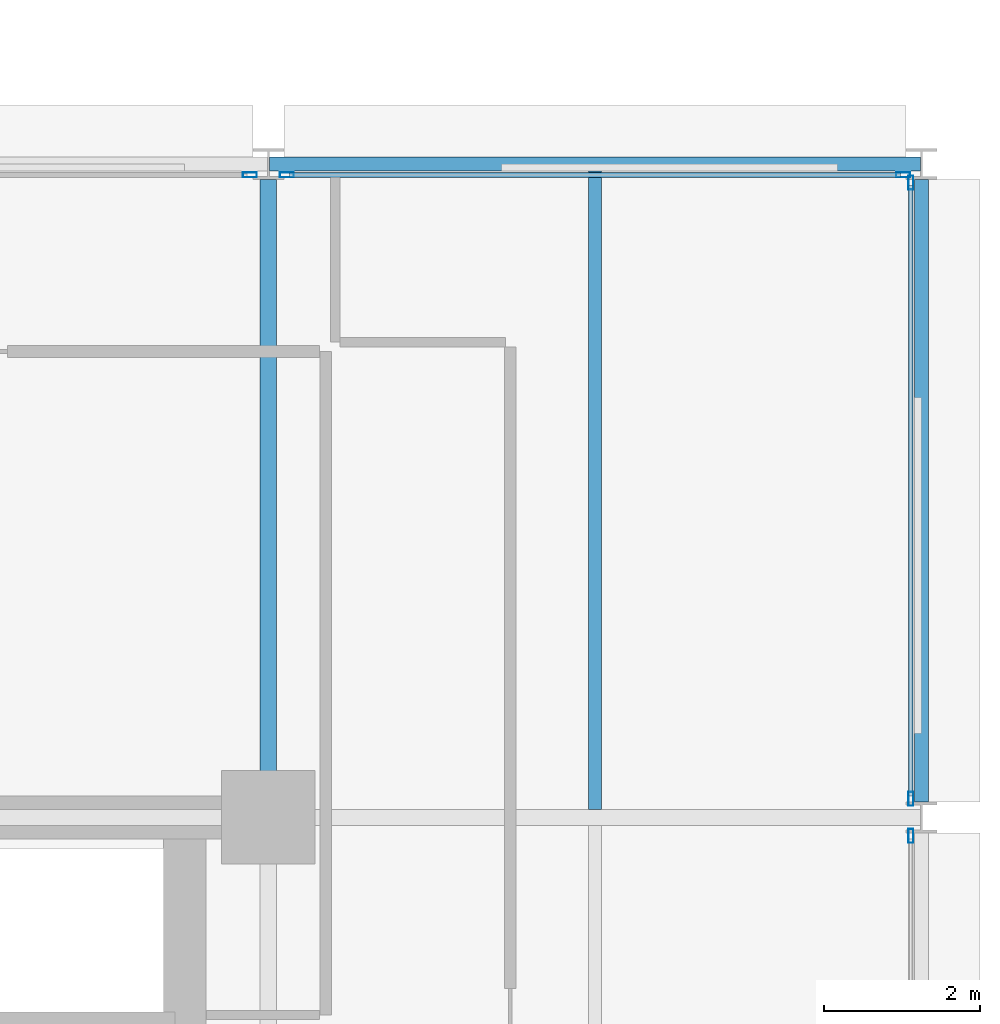
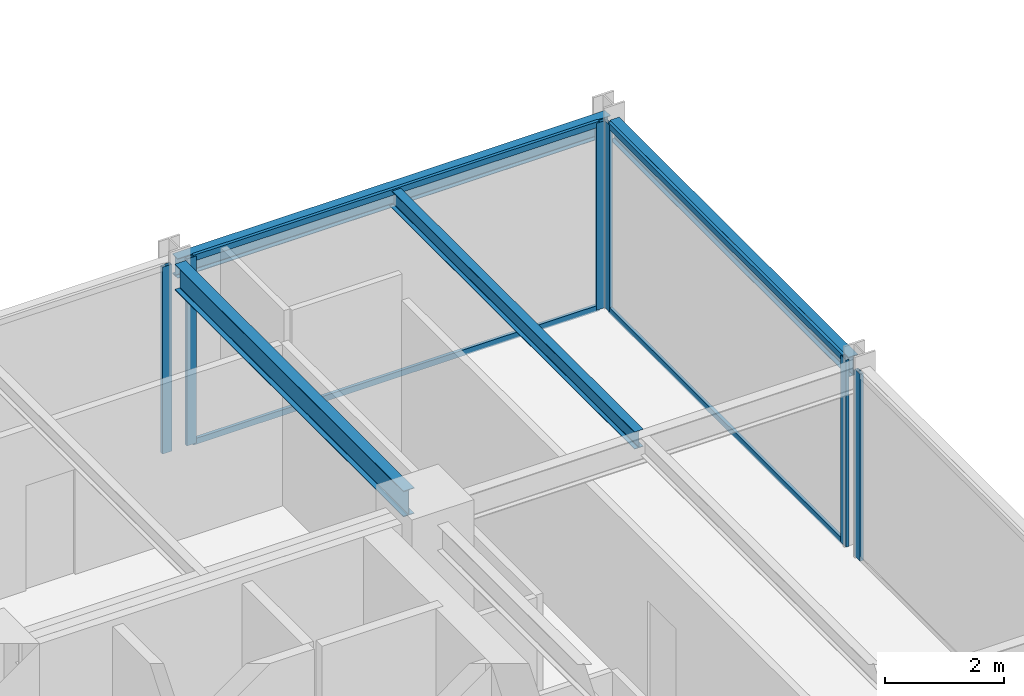
# One storey, part 15 of 30: 10 members, 4 beams, 4 elements without a shape of their own.
"""IFC4 building model written with IfcOpenShell, lengths in metres."""

from ifc_helpers import new_model, si_unit, direction, frame, origin, origin_2d, place, context, subcontext, project, spatial, hollow_rectangle, i_section, extrude, material, layer, layer_set, material_profile, profile_set, type_object, element, aggregate, save


model = new_model("IFC4")

# Units and contexts
model_context = context("Model", 3, precision=1e-05, world=origin(), true_north=direction((0.0, 1.0)))
body_context = subcontext(model_context, "Body", "Model", "MODEL_VIEW")
ifc_project = project(units=[si_unit("LENGTHUNIT", "METRE"), si_unit("AREAUNIT", "SQUARE_METRE"), si_unit("VOLUMEUNIT", "CUBIC_METRE"), si_unit("PLANEANGLEUNIT", "RADIAN"), si_unit("MASSUNIT", "GRAM", prefix="KILO")], contexts=[model_context])

# Site, building, storey
site_placement = place(None, origin())
site = spatial("IfcSite", under=ifc_project, at=site_placement, CompositionType="ELEMENT")
building_placement = place(site_placement, origin())
building = spatial("IfcBuilding", under=site, at=building_placement, Name="Nerrivon Quay Data Exchange", CompositionType="ELEMENT")
storey_placement = place(building_placement, frame((0.0, 0.0, 117.199951171875)))
storey = spatial("IfcBuildingStorey", under=building, at=storey_placement, Name="L27", CompositionType="ELEMENT", Elevation=117.199951171875)

# Beams
ifc_material_1 = material(Name="Steel Grade 350", Category="steel")
ifc_material_profile_1 = material_profile(ifc_material_1, i_section(OverallWidth=0.208984375, OverallDepth=0.528076171875, WebThickness=0.009521484375, FlangeThickness=0.01318359375, FilletRadius=0.013916015625, at=origin_2d()), Name="530UB82.0")
ifc_profile_set_1 = profile_set([ifc_material_profile_1], Name="Steel Grade 350")
beam_type_1 = type_object("IfcBeamType", Name="BM-G4-530UB82", PredefinedType="BEAM", material=ifc_profile_set_1)
beam_1_placement = place(storey_placement, frame((33.60009765625, 17.340087890625, 3.56103515625), z_axis=(0.0, 1.0, 0.0), x_axis=(-1.0, 0.0, 0.0)))
element("IfcBeam", 1, at=beam_1_placement, inside=storey, type_object=beam_type_1, Name="L27 NS Girder X=33.6 (16.8..25.2)", PredefinedType="BEAM", context=body_context, shape_type="SweptSolid", body=[
    extrude(i_section(OverallWidth=0.208984375, OverallDepth=0.528076171875, WebThickness=0.009521484375, FlangeThickness=0.01318359375, FilletRadius=0.013916015625, at=origin_2d()), origin(), (0.0, 0.0, 1.0), 7.659912109375),
])
ifc_material_profile_2 = material_profile(ifc_material_1, i_section(OverallWidth=0.1708984375, OverallDepth=0.35595703125, WebThickness=0.00732421875, FlangeThickness=0.011474609375, FilletRadius=0.011474609375, at=origin_2d()), Name="360UB50.7")
ifc_profile_set_2 = profile_set([ifc_material_profile_2], Name="Steel Grade 350")
beam_type_2 = type_object("IfcBeamType", Name="BM-J4-360UB51", PredefinedType="JOIST", material=ifc_profile_set_2)
beam_2_placement = place(storey_placement, frame((37.800048828125, 16.904541015625, 3.64697265625), z_axis=(0.0, 1.0, 0.0), x_axis=(-1.0, 0.0, 0.0)))
element("IfcBeam", 2, at=beam_2_placement, inside=storey, type_object=beam_type_2, Name="L27 Secondary Joist X=37.8 (16.8..25.2)", PredefinedType="JOIST", context=body_context, shape_type="SweptSolid", body=[
    extrude(i_section(OverallWidth=0.1708984375, OverallDepth=0.35595703125, WebThickness=0.00732421875, FlangeThickness=0.011474609375, FilletRadius=0.011474609375, at=origin_2d()), origin(), (0.0, 0.0, 1.0), 8.20654296875),
])
ifc_material_profile_3 = material_profile(ifc_material_1, i_section(OverallWidth=0.177978515625, OverallDepth=0.403076171875, WebThickness=0.007568359375, FlangeThickness=0.010986328125, FilletRadius=0.011474609375, at=origin_2d()), Name="410UB53.7")
ifc_profile_set_3 = profile_set([ifc_material_profile_3], Name="Steel Grade 350")
beam_type_3 = type_object("IfcBeamType", Name="BM-SP2-410UB54", PredefinedType="SPANDREL", material=ifc_profile_set_3)
beam_3_placement = place(storey_placement, frame((33.612548828125, 25.199951171875, 3.62353515625), z_axis=(1.0, 0.0, 0.0), x_axis=(0.0, 1.0, 0.0)))
element("IfcBeam", 3, at=beam_3_placement, inside=storey, type_object=beam_type_3, Name="L27 EW Girder Y=25.2 (33.6..42.0)", PredefinedType="SPANDREL", context=body_context, shape_type="SweptSolid", body=[
    extrude(i_section(OverallWidth=0.177978515625, OverallDepth=0.403076171875, WebThickness=0.007568359375, FlangeThickness=0.010986328125, FilletRadius=0.011474609375, at=origin_2d()), origin(), (0.0, 0.0, 1.0), 8.375),
])
beam_4_placement = place(storey_placement, frame((42.0, 17.0, 3.62353515625), z_axis=(0.0, 1.0, 0.0), x_axis=(-1.0, 0.0, 0.0)))
element("IfcBeam", 4, at=beam_4_placement, inside=storey, type_object=beam_type_3, Name="L27 NS Girder X=42.0 (16.8..25.2)", PredefinedType="SPANDREL", context=body_context, shape_type="SweptSolid", body=[
    extrude(i_section(OverallWidth=0.177978515625, OverallDepth=0.403076171875, WebThickness=0.007568359375, FlangeThickness=0.010986328125, FilletRadius=0.011474609375, at=origin_2d()), origin(), (0.0, 0.0, 1.0), 8.0),
])

# Curtain wall, member
ifc_material_2 = material(Name="Anodised aluminium 6063-T6", Category="aluminium")
ifc_layer = layer(ifc_material_2, 0.2099609375)
ifc_layer_set = layer_set([ifc_layer], Name="Anodised aluminium 6063-T6")
curtain_wall_type = type_object("IfcCurtainWallType", Name="CW-SYS-02", PredefinedType="NOTDEFINED", material=ifc_layer_set)
curtain_wall_1_placement = place(storey_placement, origin())
curtain_wall_1 = element("IfcCurtainWall", 5, at=curtain_wall_1_placement, inside=storey, type_object=curtain_wall_type, Name="L27 Unitised Curtain Wall 26", PredefinedType="NOTDEFINED")
ifc_material_profile_4 = material_profile(ifc_material_2, hollow_rectangle(XDim=0.06494140625, YDim=0.179931640625, WallThickness=0.00341796875, at=origin_2d()), Name="ALU-MULL-180x65")
ifc_profile_set_4 = profile_set([ifc_material_profile_4], Name="Anodised aluminium 6063-T6")
member_type_1 = type_object("IfcMemberType", Name="CWM-180x65", PredefinedType="MULLION", material=ifc_profile_set_4)
member_1_placement = place(storey_placement, frame((33.362548828125, 25.06005859375, 0.0), z_axis=(0.0, 0.0, 1.0), x_axis=(0.0, 1.0, 0.0)))
member_1 = element("IfcMember", 6, at=member_1_placement, type_object=member_type_1, Name="CW02 mullion 2", PredefinedType="MULLION", context=body_context, shape_type="SweptSolid", body=[
    extrude(hollow_rectangle(XDim=0.06494140625, YDim=0.179931640625, WallThickness=0.00341796875, at=origin_2d()), origin(), (0.0, 0.0, 1.0), 3.824951171875),
])
aggregate(curtain_wall_1, [member_1])

# Curtain wall, members
curtain_wall_2_placement = place(storey_placement, origin())
curtain_wall_2 = element("IfcCurtainWall", 7, at=curtain_wall_2_placement, inside=storey, type_object=curtain_wall_type, Name="L27 Unitised Curtain Wall 27", PredefinedType="NOTDEFINED")
member_2_placement = place(storey_placement, frame((33.83740234375, 25.06005859375, 0.0), z_axis=(0.0, 0.0, 1.0), x_axis=(0.0, 1.0, 0.0)))
member_2 = element("IfcMember", 8, at=member_2_placement, type_object=member_type_1, Name="CW02 mullion 1", PredefinedType="MULLION", context=body_context, shape_type="SweptSolid", body=[
    extrude(hollow_rectangle(XDim=0.06494140625, YDim=0.179931640625, WallThickness=0.00341796875, at=origin_2d()), origin(), (0.0, 0.0, 1.0), 3.824951171875),
])
member_3_placement = place(storey_placement, frame((41.762451171875, 25.06005859375, 0.0), z_axis=(0.0, 0.0, 1.0), x_axis=(0.0, 1.0, 0.0)))
member_3 = element("IfcMember", 9, at=member_3_placement, type_object=member_type_1, Name="CW02 mullion 2", PredefinedType="MULLION", context=body_context, shape_type="SweptSolid", body=[
    extrude(hollow_rectangle(XDim=0.06494140625, YDim=0.179931640625, WallThickness=0.00341796875, at=origin_2d()), origin(), (0.0, 0.0, 1.0), 3.824951171875),
])

curtain_wall_3_placement = place(storey_placement, origin())
curtain_wall_3 = element("IfcCurtainWall", 10, at=curtain_wall_3_placement, inside=storey, type_object=curtain_wall_type, Name="L27 Unitised Curtain Wall 28", PredefinedType="NOTDEFINED")
member_4_placement = place(storey_placement, frame((41.860107421875, 24.96240234375, 0.0), z_axis=(0.0, 0.0, 1.0), x_axis=(1.0, 0.0, 0.0)))
member_4 = element("IfcMember", 11, at=member_4_placement, type_object=member_type_1, Name="CW02 mullion 1", PredefinedType="MULLION", context=body_context, shape_type="SweptSolid", body=[
    extrude(hollow_rectangle(XDim=0.06494140625, YDim=0.179931640625, WallThickness=0.00341796875, at=origin_2d()), origin(), (0.0, 0.0, 1.0), 3.824951171875),
])
member_5_placement = place(storey_placement, frame((41.860107421875, 17.03759765625, 0.0), z_axis=(0.0, 0.0, 1.0), x_axis=(1.0, 0.0, 0.0)))
member_5 = element("IfcMember", 12, at=member_5_placement, type_object=member_type_1, Name="CW02 mullion 2", PredefinedType="MULLION", context=body_context, shape_type="SweptSolid", body=[
    extrude(hollow_rectangle(XDim=0.06494140625, YDim=0.179931640625, WallThickness=0.00341796875, at=origin_2d()), origin(), (0.0, 0.0, 1.0), 3.824951171875),
])

# Curtain wall, member
curtain_wall_4_placement = place(storey_placement, origin())
curtain_wall_4 = element("IfcCurtainWall", 13, at=curtain_wall_4_placement, inside=storey, type_object=curtain_wall_type, Name="L27 Unitised Curtain Wall 29", PredefinedType="NOTDEFINED")
member_6_placement = place(storey_placement, frame((41.860107421875, 16.5625, 0.0), z_axis=(0.0, 0.0, 1.0), x_axis=(1.0, 0.0, 0.0)))
member_6 = element("IfcMember", 14, at=member_6_placement, type_object=member_type_1, Name="CW02 mullion 1", PredefinedType="MULLION", context=body_context, shape_type="SweptSolid", body=[
    extrude(hollow_rectangle(XDim=0.06494140625, YDim=0.179931640625, WallThickness=0.00341796875, at=origin_2d()), origin(), (0.0, 0.0, 1.0), 3.824951171875),
])
aggregate(curtain_wall_4, [member_6])

# Member
ifc_material_profile_5 = material_profile(ifc_material_2, hollow_rectangle(XDim=0.06005859375, YDim=0.1201171875, WallThickness=0.003173828125, at=origin_2d()), Name="ALU-TRAN-120x60")
ifc_profile_set_5 = profile_set([ifc_material_profile_5], Name="Anodised aluminium 6063-T6")
member_type_2 = type_object("IfcMemberType", Name="CWT-120x60", PredefinedType="USERDEFINED", material=ifc_profile_set_5)
member_7_placement = place(storey_placement, frame((33.875, 25.06005859375, 0.032470703125), z_axis=(1.0, 0.0, 0.0), x_axis=(0.0, 1.0, 0.0)))
member_7 = element("IfcMember", 15, at=member_7_placement, type_object=member_type_2, Name="CW02 transom 1.1", ObjectType="TRANSOM", PredefinedType="USERDEFINED", context=body_context, shape_type="SweptSolid", body=[
    extrude(hollow_rectangle(XDim=0.06005859375, YDim=0.1201171875, WallThickness=0.003173828125, at=origin_2d()), origin(), (0.0, 0.0, 1.0), 7.85009765625),
])

member_8_placement = place(storey_placement, frame((33.875, 25.06005859375, 3.79248046875), z_axis=(1.0, 0.0, 0.0), x_axis=(0.0, 1.0, 0.0)))
member_8 = element("IfcMember", 16, at=member_8_placement, type_object=member_type_2, Name="CW02 transom 1.2", ObjectType="TRANSOM", PredefinedType="USERDEFINED", context=body_context, shape_type="SweptSolid", body=[
    extrude(hollow_rectangle(XDim=0.06005859375, YDim=0.1201171875, WallThickness=0.003173828125, at=origin_2d()), origin(), (0.0, 0.0, 1.0), 7.85009765625),
])

aggregate(curtain_wall_2, [member_2, member_3, member_7, member_8])

member_9_placement = place(storey_placement, frame((41.860107421875, 24.925048828125, 0.032470703125), z_axis=(0.0, -1.0, 0.0), x_axis=(1.0, 0.0, 0.0)))
member_9 = element("IfcMember", 17, at=member_9_placement, type_object=member_type_2, Name="CW02 transom 1.1", ObjectType="TRANSOM", PredefinedType="USERDEFINED", context=body_context, shape_type="SweptSolid", body=[
    extrude(hollow_rectangle(XDim=0.06005859375, YDim=0.1201171875, WallThickness=0.003173828125, at=origin_2d()), origin(), (0.0, 0.0, 1.0), 7.85009765625),
])

member_10_placement = place(storey_placement, frame((41.860107421875, 24.925048828125, 3.79248046875), z_axis=(0.0, -1.0, 0.0), x_axis=(1.0, 0.0, 0.0)))
member_10 = element("IfcMember", 18, at=member_10_placement, type_object=member_type_2, Name="CW02 transom 1.2", ObjectType="TRANSOM", PredefinedType="USERDEFINED", context=body_context, shape_type="SweptSolid", body=[
    extrude(hollow_rectangle(XDim=0.06005859375, YDim=0.1201171875, WallThickness=0.003173828125, at=origin_2d()), origin(), (0.0, 0.0, 1.0), 7.85009765625),
])

aggregate(curtain_wall_3, [member_4, member_5, member_9, member_10])

save(model, "model.ifc")
